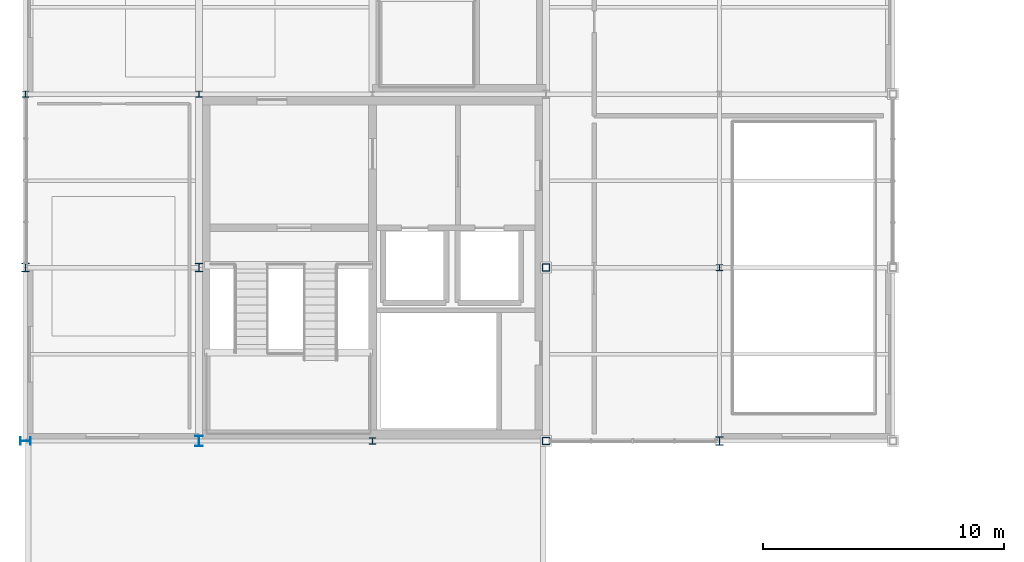
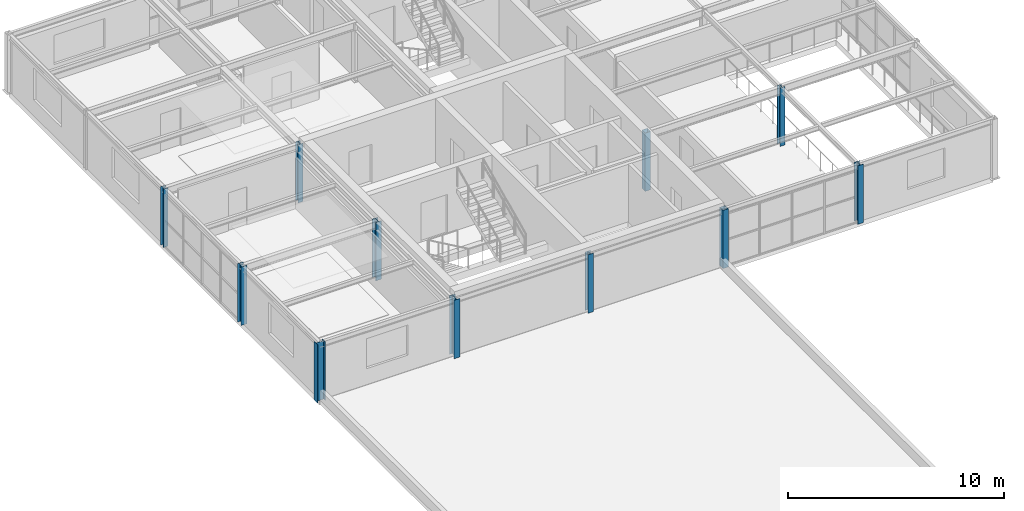
# One storey, part 1 of 22: 11 columns.
"""IFC4 building model written with IfcOpenShell, lengths in metres."""

from ifc_helpers import new_model, si_unit, direction, frame, origin, origin_2d, place, context, subcontext, project, spatial, hollow_rectangle, i_section, extrude, material, material_profile, profile_set, type_object, element, save


model = new_model("IFC4")

# Units and contexts
model_context = context("Model", 3, precision=1e-05, world=origin(), true_north=direction((0.0, 1.0)))
body_context = subcontext(model_context, "Body", "Model", "MODEL_VIEW")
ifc_project = project(units=[si_unit("LENGTHUNIT", "METRE"), si_unit("AREAUNIT", "SQUARE_METRE"), si_unit("VOLUMEUNIT", "CUBIC_METRE"), si_unit("PLANEANGLEUNIT", "RADIAN"), si_unit("MASSUNIT", "GRAM", prefix="KILO")], contexts=[model_context])

# Site, building, storey
site_placement = place(None, origin())
site = spatial("IfcSite", under=ifc_project, at=site_placement, CompositionType="ELEMENT")
building_placement = place(site_placement, origin())
building = spatial("IfcBuilding", under=site, at=building_placement, Name="Leyfeld Transit Interchange", CompositionType="ELEMENT")
storey_placement = place(building_placement, frame((0.0, 0.0, 18.0)))
storey = spatial("IfcBuildingStorey", under=building, at=storey_placement, Name="L04", CompositionType="ELEMENT", Elevation=18.0)

# Columns
ifc_material = material(Name="Steel S355J2", Category="steel")
ifc_material_profile_1 = material_profile(ifc_material, i_section(OverallWidth=0.260009765625, OverallDepth=0.25, WebThickness=0.007568359375, FlangeThickness=0.012451171875, FilletRadius=0.02392578125, at=origin_2d()), Name="HEA 260")
ifc_profile_set_1 = profile_set([ifc_material_profile_1], Name="Steel S355J2")
column_type_1 = type_object("IfcColumnType", Name="COL-CAT-04", PredefinedType="COLUMN", material=ifc_profile_set_1)
for number, where, z_axis, x_axis, name in (
    (1, (0.0, 108.0, 0.0), (0.0, 0.0, 1.0), (1.0, 0.0, 0.0), "Column COL-L04-0000_1080"),
    (2, (7.199951171875, 108.0, 0.0), (0.0, 0.0, 1.0), (1.0, 0.0, 0.0), "Column COL-L04-0072_1080"),
    (3, (28.800048828125, 100.800048828125, 0.0), (0.0, 0.0, 1.0), (1.0, 0.0, 0.0), "Column COL-L04-0288_1008"),
):
    element("IfcColumn", number, at=place(storey_placement, frame(where, z_axis=z_axis, x_axis=x_axis)), inside=storey, type_object=column_type_1, Name=name, PredefinedType="COLUMN", context=body_context, shape_type="SweptSolid", body=[
        extrude(i_section(OverallWidth=0.260009765625, OverallDepth=0.25, WebThickness=0.007568359375, FlangeThickness=0.012451171875, FilletRadius=0.02392578125, at=origin_2d()), origin(), (0.0, 0.0, 1.0), 3.300048828125),
    ])
ifc_material_profile_2 = material_profile(ifc_material, i_section(OverallWidth=0.300048828125, OverallDepth=0.43994140625, WebThickness=0.011474609375, FlangeThickness=0.02099609375, FilletRadius=0.027099609375, at=origin_2d()), Name="HEA 450")
ifc_profile_set_2 = profile_set([ifc_material_profile_2], Name="Steel S355J2")
column_type_2 = type_object("IfcColumnType", Name="COL-CAT-07", PredefinedType="COLUMN", material=ifc_profile_set_2)
for number, where, z_axis, x_axis, name in (
    (4, (0.0, 93.60009765625, 0.0), (0.0, 0.0, 1.0), (0.0, 1.0, 0.0), "Column COL-L04-0000_0936"),
    (5, (7.199951171875, 93.60009765625, 0.0), (0.0, 0.0, 1.0), (1.0, 0.0, 0.0), "Column COL-L04-0072_0936"),
):
    element("IfcColumn", number, at=place(storey_placement, frame(where, z_axis=z_axis, x_axis=x_axis)), inside=storey, type_object=column_type_2, Name=name, PredefinedType="COLUMN", context=body_context, shape_type="SweptSolid", body=[
        extrude(i_section(OverallWidth=0.300048828125, OverallDepth=0.43994140625, WebThickness=0.011474609375, FlangeThickness=0.02099609375, FilletRadius=0.027099609375, at=origin_2d()), origin(), (0.0, 0.0, 1.0), 3.300048828125),
    ])
ifc_material_profile_3 = material_profile(ifc_material, i_section(OverallWidth=0.280029296875, OverallDepth=0.280029296875, WebThickness=0.010498046875, FlangeThickness=0.01806640625, FilletRadius=0.02392578125, at=origin_2d()), Name="HEB 280")
ifc_profile_set_3 = profile_set([ifc_material_profile_3], Name="Steel S355J2")
column_type_3 = type_object("IfcColumnType", Name="COL-CAT-13", PredefinedType="COLUMN", material=ifc_profile_set_3)
column_placement = place(storey_placement, frame((14.39990234375, 93.60009765625, 0.0), z_axis=(0.0, 0.0, 1.0), x_axis=(1.0, 0.0, 0.0)))
element("IfcColumn", 6, at=column_placement, inside=storey, type_object=column_type_3, Name="Column COL-L04-0144_0936", PredefinedType="COLUMN", context=body_context, shape_type="SweptSolid", body=[
    extrude(i_section(OverallWidth=0.280029296875, OverallDepth=0.280029296875, WebThickness=0.010498046875, FlangeThickness=0.01806640625, FilletRadius=0.02392578125, at=origin_2d()), origin(), (0.0, 0.0, 1.0), 3.300048828125),
])
ifc_material_profile_4 = material_profile(ifc_material, i_section(OverallWidth=0.300048828125, OverallDepth=0.340087890625, WebThickness=0.011962890625, FlangeThickness=0.021484375, FilletRadius=0.027099609375, at=origin_2d()), Name="HEB 340")
ifc_profile_set_4 = profile_set([ifc_material_profile_4], Name="Steel S355J2")
column_type_4 = type_object("IfcColumnType", Name="COL-CAT-15", PredefinedType="COLUMN", material=ifc_profile_set_4)
for number, where, z_axis, x_axis, name in (
    (7, (0.0, 100.800048828125, 0.0), (0.0, 0.0, 1.0), (1.0, 0.0, 0.0), "Column COL-L04-0000_1008"),
    (8, (7.199951171875, 100.800048828125, 0.0), (0.0, 0.0, 1.0), (1.0, 0.0, 0.0), "Column COL-L04-0072_1008"),
    (9, (28.800048828125, 93.60009765625, 0.0), (0.0, 0.0, 1.0), (1.0, 0.0, 0.0), "Column COL-L04-0288_0936"),
):
    element("IfcColumn", number, at=place(storey_placement, frame(where, z_axis=z_axis, x_axis=x_axis)), inside=storey, type_object=column_type_4, Name=name, PredefinedType="COLUMN", context=body_context, shape_type="SweptSolid", body=[
        extrude(i_section(OverallWidth=0.300048828125, OverallDepth=0.340087890625, WebThickness=0.011962890625, FlangeThickness=0.021484375, FilletRadius=0.027099609375, at=origin_2d()), origin(), (0.0, 0.0, 1.0), 3.300048828125),
    ])
ifc_material_profile_5 = material_profile(ifc_material, hollow_rectangle(XDim=0.300048828125, YDim=0.300048828125, WallThickness=0.012451171875, at=origin_2d()), Name="SHS 300x300x12.5")
ifc_profile_set_5 = profile_set([ifc_material_profile_5], Name="Steel S355J2")
column_type_5 = type_object("IfcColumnType", Name="COL-STL-SHS300", PredefinedType="COLUMN", material=ifc_profile_set_5)
for number, where, z_axis, x_axis, name in (
    (10, (21.60009765625, 93.60009765625, 0.0), (0.0, 0.0, 1.0), (1.0, 0.0, 0.0), "Column COL-L04-0216_0936"),
    (11, (21.60009765625, 100.800048828125, 0.0), (0.0, 0.0, 1.0), (1.0, 0.0, 0.0), "Column COL-L04-0216_1008"),
):
    element("IfcColumn", number, at=place(storey_placement, frame(where, z_axis=z_axis, x_axis=x_axis)), inside=storey, type_object=column_type_5, Name=name, PredefinedType="COLUMN", context=body_context, shape_type="SweptSolid", body=[
        extrude(hollow_rectangle(XDim=0.300048828125, YDim=0.300048828125, WallThickness=0.012451171875, at=origin_2d()), origin(), (0.0, 0.0, 1.0), 3.300048828125),
    ])

save(model, "model.ifc")
